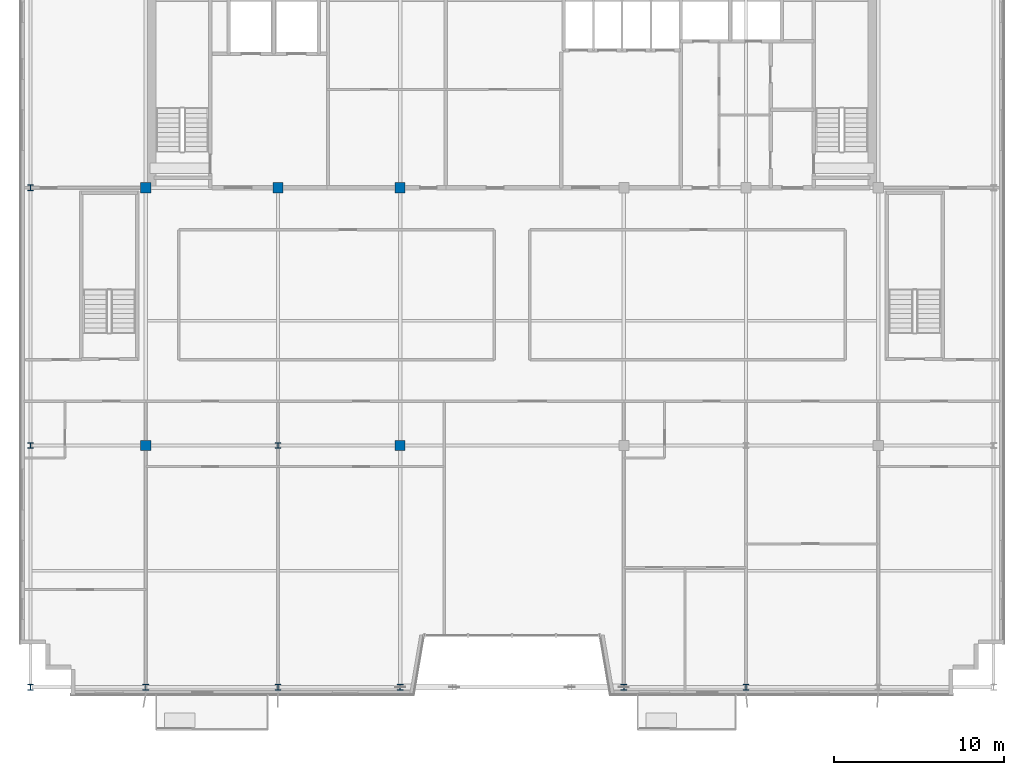
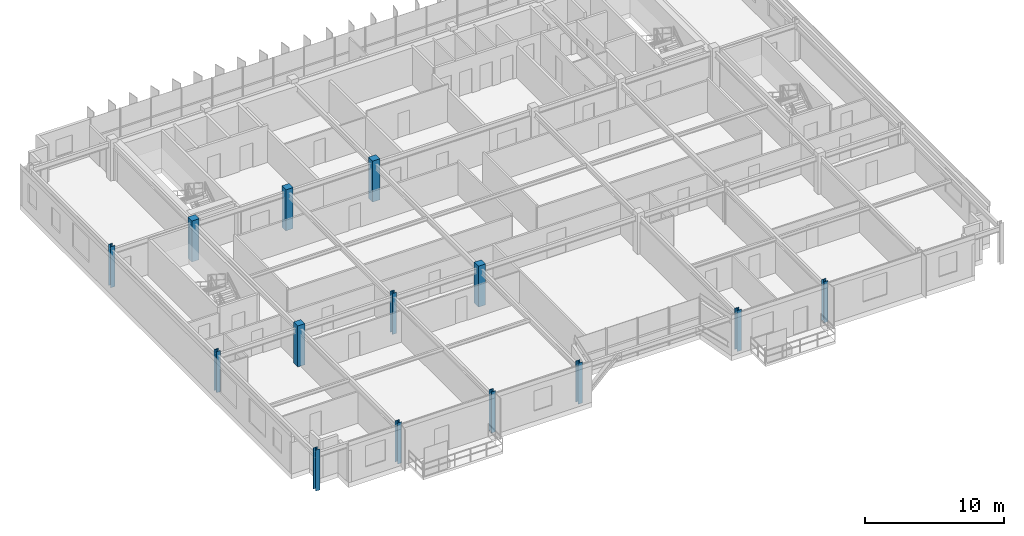
# One storey, part 1 of 28: 14 columns.
"""IFC4 building model written with IfcOpenShell, lengths in metres."""

import ifcopenshell
import ifcopenshell.guid

model = None  # the IFC model being written
_history = None  # IfcOwnerHistory: only IFC2X3 demands one
_inside = {}  # id of a spatial element -> (the spatial element, [elements in it])
_under = {}  # id of a project, library or spatial element -> (it, [spatial elements below it])
_declared = {}  # id of a project -> (the project, [libraries it declares])
_typed = {}  # id of a type object -> (the type object, [elements of that type])
_made_of = {}  # id of a material, layer set ... -> (it, [elements and type objects made of it])


def new_model(schema):
    """Start an empty IFC model of exactly this schema.

    Asked for "IFC4X3", IfcOpenShell would pick the latest addendum, in which some entities
    have other attributes; the version numbers below select the first issue.
    IFC2X3 requires an IfcOwnerHistory on every rooted entity: one is made here for all.
    """
    global model, _history
    if schema == "IFC4X3":
        model = ifcopenshell.file(schema_version=(4, 3, 0, 0))
    else:
        model = ifcopenshell.file(schema=schema)
    _inside.clear()
    _under.clear()
    _declared.clear()
    _typed.clear()
    _made_of.clear()
    _history = None
    if model.schema == "IFC2X3":
        org = make("IfcOrganization", Name="unknown")
        user = make(
            "IfcPersonAndOrganization",
            ThePerson=make("IfcPerson", FamilyName="unknown"),
            TheOrganization=org,
        )
        app = make(
            "IfcApplication",
            ApplicationDeveloper=org,
            Version="unknown",
            ApplicationFullName="unknown",
            ApplicationIdentifier="unknown",
        )
        _history = make(
            "IfcOwnerHistory",
            OwningUser=user,
            OwningApplication=app,
            ChangeAction="ADDED",
            CreationDate=0,
        )
    return model


def make(cls, **values):
    """One entity of the class cls with the attributes given. An attribute that is None is left unset."""
    return model.create_entity(
        cls, **{name: value for name, value in values.items() if value is not None}
    )


def rooted(cls, **values):
    """An entity with a GlobalId (a new one), such as an element, a storey or a relation."""
    return make(cls, GlobalId=ifcopenshell.guid.new(), OwnerHistory=_history, **values)


def si_unit(unit_type, name, prefix=None):
    """IfcSIUnit, for example si_unit("LENGTHUNIT", "METRE", prefix="MILLI")."""
    return make("IfcSIUnit", UnitType=unit_type, Prefix=prefix, Name=name)


def assignment(units):
    """IfcUnitAssignment: the units of a project."""
    return None if units is None else make("IfcUnitAssignment", Units=units)


def point(xyz):
    """IfcCartesianPoint."""
    return None if xyz is None else make("IfcCartesianPoint", Coordinates=xyz)


def direction(xyz):
    """IfcDirection."""
    return None if xyz is None else make("IfcDirection", DirectionRatios=xyz)


def frame(location, z_axis=None, x_axis=None):
    """IfcAxis2Placement3D, a coordinate frame: its origin and axes. An axis left out is left unset."""
    return make(
        "IfcAxis2Placement3D",
        Location=point(location),
        Axis=direction(z_axis),
        RefDirection=direction(x_axis),
    )


def frame_2d(location, x_axis=None):
    """IfcAxis2Placement2D, a coordinate frame in the plane: its origin and x axis."""
    return make(
        "IfcAxis2Placement2D", Location=point(location), RefDirection=direction(x_axis)
    )


def origin():
    """The frame at (0, 0, 0) with its axes left unset."""
    return frame((0.0, 0.0, 0.0))


def origin_2d():
    """The frame at (0, 0) in the plane with its x axis left unset."""
    return frame_2d((0.0, 0.0))


def place(relative_to, where):
    """IfcLocalPlacement: puts the frame where relative to a parent placement (None: the world)."""
    return make(
        "IfcLocalPlacement", PlacementRelTo=relative_to, RelativePlacement=where
    )


def context(
    kind, dimensions, precision=None, world=None, true_north=None, identifier=None
):
    """IfcGeometricRepresentationContext, for example the 3D "Model" context."""
    return make(
        "IfcGeometricRepresentationContext",
        ContextIdentifier=identifier,
        ContextType=kind,
        CoordinateSpaceDimension=dimensions,
        Precision=precision,
        WorldCoordinateSystem=world,
        TrueNorth=true_north,
    )


def subcontext(parent, identifier, kind, view, scale=None):
    """IfcGeometricRepresentationSubContext, for example "Body" below "Model"."""
    return make(
        "IfcGeometricRepresentationSubContext",
        ContextIdentifier=identifier,
        ContextType=kind,
        ParentContext=parent,
        TargetScale=scale,
        TargetView=view,
    )


def project(units=None, contexts=None):
    """IfcProject with its units and contexts."""
    return rooted(
        "IfcProject",
        Name="project",
        RepresentationContexts=contexts,
        UnitsInContext=assignment(units),
    )


def spatial(cls, under=None, at=None, **own):
    """A site, building, storey or space (cls), placed at a placement, below another one or the project."""
    s = rooted(cls, ObjectPlacement=at, **own)
    if under is not None:
        _under.setdefault(under.id(), (under, []))[1].append(s)
    return s


def profile(cls, at=None, kind="AREA", **sizes):
    """A parametric profile (cls). Its sizes go by their IFC names, for example OverallWidth=200.0."""
    return make(cls, ProfileType=kind, Position=at, **sizes)


def rectangle(**sizes):
    """IfcRectangleProfileDef."""
    return profile("IfcRectangleProfileDef", **sizes)


def i_section(**sizes):
    """IfcIShapeProfileDef."""
    return profile("IfcIShapeProfileDef", **sizes)


def extrude(swept, where, along, depth):
    """IfcExtrudedAreaSolid: the profile swept, set in the frame where, extruded along a direction by depth."""
    return make(
        "IfcExtrudedAreaSolid",
        SweptArea=swept,
        Position=where,
        ExtrudedDirection=direction(along),
        Depth=depth,
    )


def shape(context_of_items, identifier, shape_type, items):
    """IfcShapeRepresentation: the items that make up one representation, for example the "Body"."""
    return make(
        "IfcShapeRepresentation",
        ContextOfItems=context_of_items,
        RepresentationIdentifier=identifier,
        RepresentationType=shape_type,
        Items=items,
    )


def source(mapping_origin, context_of_items, identifier, shape_type, items):
    """IfcRepresentationMap: a shape defined once, which mapped items show again and again."""
    return make(
        "IfcRepresentationMap",
        MappingOrigin=mapping_origin,
        MappedRepresentation=shape(context_of_items, identifier, shape_type, items),
    )


def transform(
    local_origin,
    x_axis=None,
    y_axis=None,
    z_axis=None,
    scale=None,
    scale2=None,
    scale3=None,
    uniform=True,
):
    """IfcCartesianTransformationOperator3D, or its non-uniform kind. x_axis, y_axis, z_axis: its Axis1, 2, 3."""
    if uniform:
        return make(
            "IfcCartesianTransformationOperator3D",
            Axis1=direction(x_axis),
            Axis2=direction(y_axis),
            LocalOrigin=point(local_origin),
            Scale=scale,
            Axis3=direction(z_axis),
        )
    return make(
        "IfcCartesianTransformationOperator3DnonUniform",
        Axis1=direction(x_axis),
        Axis2=direction(y_axis),
        LocalOrigin=point(local_origin),
        Scale=scale,
        Axis3=direction(z_axis),
        Scale2=scale2,
        Scale3=scale3,
    )


def mapped(mapping_source, mapping_target):
    """IfcMappedItem: shows the shape of a source again, moved by a transform."""
    return make(
        "IfcMappedItem", MappingSource=mapping_source, MappingTarget=mapping_target
    )


def material(Name=None, Category=None):
    """IfcMaterial."""
    return make("IfcMaterial", Name=Name, Category=Category)


def material_profile(
    of_material, cross_section, Name=None, Category=None, Priority=None
):
    """IfcMaterialProfile: a cross section and its material."""
    return make(
        "IfcMaterialProfile",
        Name=Name,
        Material=of_material,
        Profile=cross_section,
        Priority=Priority,
        Category=Category,
    )


def profile_set(profiles, Name=None, composite=None):
    """IfcMaterialProfileSet."""
    return make(
        "IfcMaterialProfileSet",
        Name=Name,
        MaterialProfiles=profiles,
        CompositeProfile=composite,
    )


def made_of(thing, what):
    """Note that an element or type object is made of a material, layer set ...; save() writes the relation."""
    if what is not None:
        _made_of.setdefault(what.id(), (what, []))[1].append(thing)
    return thing


def type_object(cls, material=None, **own):
    """A type object (cls), such as IfcWallType, which elements share."""
    return made_of(rooted(cls, **own), material)


def element(
    cls,
    number,
    at=None,
    inside=None,
    cuts=None,
    type_object=None,
    material=None,
    context=None,
    identifier="Body",
    shape_type=None,
    held_by="IfcProductDefinitionShape",
    body=None,
    shapes=None,
    **own,
):
    """One element of the class cls, such as IfcWall. Its Tag is "e" and its number.

    at: its placement. inside: the storey or other place that contains it. cuts: it is an
    opening in that element (IfcRelVoidsElement). A single representation is given by context,
    identifier, shape_type and body (its items); several are given by shapes. held_by: the class
    of the entity that holds the representations. save() writes the other relations.
    """
    e = rooted(cls, Tag="e%d" % number, ObjectPlacement=at, **own)
    if body is not None:
        shapes = [shape(context, identifier, shape_type, body)]
    if shapes is not None:
        e.Representation = make(held_by, Representations=shapes)
    if inside is not None:
        _inside.setdefault(inside.id(), (inside, []))[1].append(e)
    if cuts is not None:
        rooted(
            "IfcRelVoidsElement", RelatingBuildingElement=cuts, RelatedOpeningElement=e
        )
    if type_object is not None:
        _typed.setdefault(type_object.id(), (type_object, []))[1].append(e)
    return made_of(e, material)


def aggregate(whole, parts):
    """IfcRelAggregates: a whole, such as a stair, and the parts it consists of."""
    return rooted("IfcRelAggregates", RelatingObject=whole, RelatedObjects=parts)


def save(model, path):
    """Write the relations noted so far, then the file.

    IfcRelAggregates (storeys below a building ...), IfcRelContainedInSpatialStructure (elements
    in a storey), IfcRelDefinesByType, IfcRelAssociatesMaterial and IfcRelDeclares: one each for
    every whole, place, type object, material and project.
    """
    for whole, parts in _under.values():
        aggregate(whole, parts)
    for where, things in _inside.values():
        rooted(
            "IfcRelContainedInSpatialStructure",
            RelatedElements=things,
            RelatingStructure=where,
        )
    for kind, things in _typed.values():
        rooted("IfcRelDefinesByType", RelatedObjects=things, RelatingType=kind)
    for what, things in _made_of.values():
        rooted("IfcRelAssociatesMaterial", RelatedObjects=things, RelatingMaterial=what)
    for by, libraries in _declared.values():
        rooted("IfcRelDeclares", RelatingContext=by, RelatedDefinitions=libraries)
    model.write(path)


model = new_model("IFC4")

# Units and contexts
model_context = context("Model", 3, precision=1e-05, world=origin(), true_north=direction((0.0, 1.0)))
body_context = subcontext(model_context, "Body", "Model", "MODEL_VIEW")
ifc_project = project(units=[si_unit("LENGTHUNIT", "METRE"), si_unit("AREAUNIT", "SQUARE_METRE"), si_unit("VOLUMEUNIT", "CUBIC_METRE"), si_unit("PLANEANGLEUNIT", "RADIAN"), si_unit("MASSUNIT", "GRAM", prefix="KILO")], contexts=[model_context])

# Site, building, storey
site_placement = place(None, origin())
site = spatial("IfcSite", under=ifc_project, at=site_placement, CompositionType="ELEMENT")
building_placement = place(site_placement, origin())
building = spatial("IfcBuilding", under=site, at=building_placement, Name="Trelvane Seafront Commons", CompositionType="ELEMENT")
storey_placement = place(building_placement, frame((0.0, 0.0, 295.5)))
storey = spatial("IfcBuildingStorey", under=building, at=storey_placement, Name="L77", CompositionType="ELEMENT", Elevation=295.5)

# Columns
ifc_material_1 = material(Name="Steel SM355 (S355)", Category="steel")
ifc_material_profile_1 = material_profile(ifc_material_1, i_section(OverallWidth=0.35009765625, OverallDepth=0.35009765625, WebThickness=0.01806640625, FlangeThickness=0.028076171875, at=origin_2d()), Name="HD-350x350x18x28")
ifc_profile_set_1 = profile_set([ifc_material_profile_1], Name="Steel SM355 (S355)")
column_type_1 = type_object("IfcColumnType", Name="STR-COL-HD350", PredefinedType="COLUMN", material=ifc_profile_set_1)
shared_shape_1 = source(origin(), body_context, "Body", "SweptSolid", [
    extrude(i_section(OverallWidth=0.35009765625, OverallDepth=0.35009765625, WebThickness=0.01806640625, FlangeThickness=0.028076171875, at=origin_2d()), origin(), (0.0, 0.0, 1.0), 3.60009765625),
])
for number, where, z_axis, x_axis, name in (
    (1, (8.800048828125, 3.949951171875, 0.0), (0.0, 0.0, 1.0), (1.0, 0.0, 0.0), "L77 Column TC-S8.8"),
    (2, (8.800048828125, 18.199951171875, 0.0), (0.0, 0.0, 1.0), (1.0, 0.0, 0.0), "L77 Column TC-M8.8"),
    (3, (8.800048828125, 33.39990234375, 0.0), (0.0, 0.0, 1.0), (1.0, 0.0, 0.0), "L77 Column TC-CS8.8"),
    (4, (15.60009765625, 3.949951171875, 0.0), (0.0, 0.0, 1.0), (1.0, 0.0, 0.0), "L77 Column TC-S15.6"),
    (5, (23.39990234375, 3.949951171875, 0.0), (0.0, 0.0, 1.0), (1.0, 0.0, 0.0), "L77 Column TC-S23.4"),
    (6, (23.39990234375, 18.199951171875, 0.0), (0.0, 0.0, 1.0), (1.0, 0.0, 0.0), "L77 Column TC-M23.4"),
    (7, (30.60009765625, 3.949951171875, 0.0), (0.0, 0.0, 1.0), (1.0, 0.0, 0.0), "L77 Column TC-S30.6"),
    (8, (43.800048828125, 3.949951171875, 0.0), (0.0, 0.0, 1.0), (1.0, 0.0, 0.0), "L77 Column TC-S43.8"),
    (9, (51.0, 3.949951171875, 0.0), (0.0, 0.0, 1.0), (1.0, 0.0, 0.0), "L77 Column TC-S51.0"),
):
    element("IfcColumn", number, at=place(storey_placement, frame(where, z_axis=z_axis, x_axis=x_axis)), inside=storey, type_object=column_type_1, Name=name, PredefinedType="COLUMN", context=body_context, shape_type="MappedRepresentation", body=[
        mapped(shared_shape_1, transform((0.0, 0.0, 0.0), x_axis=(1.0, 0.0, 0.0), y_axis=(0.0, 1.0, 0.0), z_axis=(0.0, 0.0, 1.0), scale=1.0)),
    ])
ifc_material_2 = material(Name="Concrete C50/60", Category="concrete")
ifc_material_profile_2 = material_profile(ifc_material_2, rectangle(XDim=0.60009765625, YDim=0.60009765625, at=origin_2d()), Name="RC-600x600")
ifc_profile_set_2 = profile_set([ifc_material_profile_2], Name="Concrete C50/60")
column_type_2 = type_object("IfcColumnType", Name="STR-COL-RC600", PredefinedType="COLUMN", material=ifc_profile_set_2)
shared_shape_2 = source(origin(), body_context, "Body", "SweptSolid", [
    extrude(rectangle(XDim=0.60009765625, YDim=0.60009765625, at=origin_2d()), origin(), (0.0, 0.0, 1.0), 3.60009765625),
])
for number, where, z_axis, x_axis, name in (
    (10, (15.60009765625, 18.199951171875, 0.0), (0.0, 0.0, 1.0), (1.0, 0.0, 0.0), "L77 Column TC-M15.6"),
    (11, (15.60009765625, 33.39990234375, 0.0), (0.0, 0.0, 1.0), (1.0, 0.0, 0.0), "L77 Column TC-CS15.6"),
    (12, (23.39990234375, 33.39990234375, 0.0), (0.0, 0.0, 1.0), (1.0, 0.0, 0.0), "L77 Column TC-CS23.4"),
    (13, (30.60009765625, 18.199951171875, 0.0), (0.0, 0.0, 1.0), (1.0, 0.0, 0.0), "L77 Column TC-M30.6"),
    (14, (30.60009765625, 33.39990234375, 0.0), (0.0, 0.0, 1.0), (1.0, 0.0, 0.0), "L77 Column TC-CS30.6"),
):
    element("IfcColumn", number, at=place(storey_placement, frame(where, z_axis=z_axis, x_axis=x_axis)), inside=storey, type_object=column_type_2, Name=name, PredefinedType="COLUMN", context=body_context, shape_type="MappedRepresentation", body=[
        mapped(shared_shape_2, transform((0.0, 0.0, 0.0), x_axis=(1.0, 0.0, 0.0), y_axis=(0.0, 1.0, 0.0), z_axis=(0.0, 0.0, 1.0), scale=1.0)),
    ])

save(model, "model.ifc")
